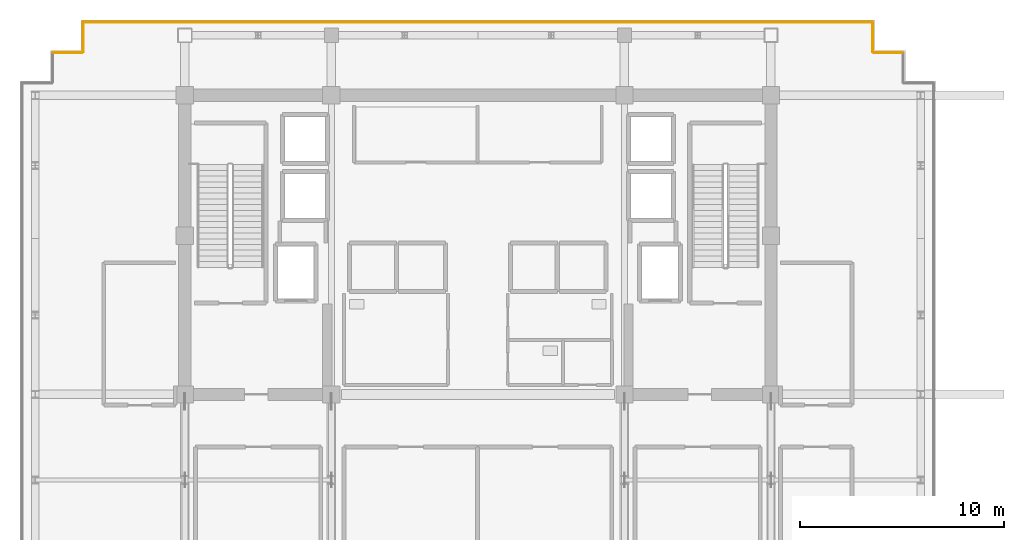
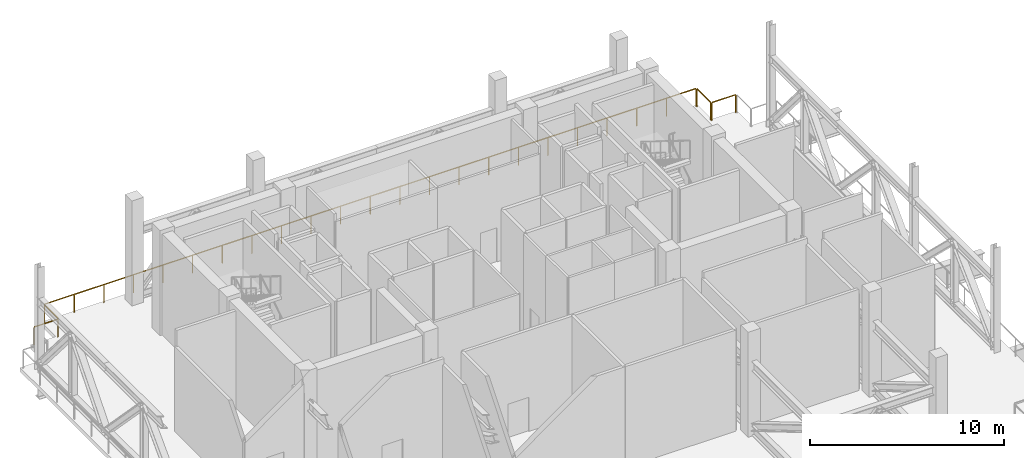
# One storey, part 10 of 11: 5 railings.
"""IFC4 building model written with IfcOpenShell, lengths in metres."""

from ifc_helpers import new_model, si_unit, direction, frame, origin, origin_2d, place, context, subcontext, project, spatial, rectangle, extrude, material, type_object, element, save


model = new_model("IFC4")

# Units and contexts
model_context = context("Model", 3, precision=1e-05, world=origin(), true_north=direction((0.0, 1.0)))
body_context = subcontext(model_context, "Body", "Model", "MODEL_VIEW")
ifc_project = project(units=[si_unit("LENGTHUNIT", "METRE"), si_unit("AREAUNIT", "SQUARE_METRE"), si_unit("VOLUMEUNIT", "CUBIC_METRE"), si_unit("PLANEANGLEUNIT", "RADIAN"), si_unit("MASSUNIT", "GRAM", prefix="KILO")], contexts=[model_context])

# Site, building, storey
site_placement = place(None, origin())
site = spatial("IfcSite", under=ifc_project, at=site_placement, CompositionType="ELEMENT")
building_placement = place(site_placement, origin())
building = spatial("IfcBuilding", under=site, at=building_placement, Name="Zarnakvel Exchange Tower", CompositionType="ELEMENT")
storey_placement = place(building_placement, frame((0.0, 0.0, 199.0)))
storey = spatial("IfcBuildingStorey", under=building, at=storey_placement, Name="L56", CompositionType="ELEMENT", Elevation=199.0)

# Railings
ifc_material = material(Name="Architectural Bronze Anodised Aluminium", Category="aluminium")
railing_type = type_object("IfcRailingType", Name="GR-01", PredefinedType="GUARDRAIL", material=ifc_material)
railing_1_placement = place(storey_placement, frame((-20.860107421875, 15.60009765625, 0.0)))
element("IfcRailing", 1, at=railing_1_placement, inside=storey, type_object=railing_type, Name="L56 Perimeter Guardrail GR-L56-PERIM-04 (GR-01)", PredefinedType="GUARDRAIL", context=body_context, shape_type="SweptSolid", body=[
    extrude(rectangle(XDim=0.048095703125, YDim=0.048095703125, at=origin_2d()), frame((0.0, 0.0, 1.1259765625), z_axis=(1.0, 0.0, 0.0), x_axis=(0.0, 1.0, 0.0)), (0.0, 0.0, 1.0), 1.420166015625),
    extrude(rectangle(XDim=0.0419921875, YDim=0.0419921875, at=origin_2d()), origin(), (0.0, 0.0, 1.0), 1.101806640625),
    extrude(rectangle(XDim=0.0419921875, YDim=0.0419921875, at=origin_2d()), frame((1.420166015625, 0.0, 0.0)), (0.0, 0.0, 1.0), 1.101806640625),
])
railing_2_placement = place(storey_placement, frame((-19.39990234375, 15.639892578125, 0.0)))
element("IfcRailing", 2, at=railing_2_placement, inside=storey, type_object=railing_type, Name="L56 Perimeter Guardrail GR-L56-PERIM-05 (GR-01)", PredefinedType="GUARDRAIL", context=body_context, shape_type="SweptSolid", body=[
    extrude(rectangle(XDim=0.048095703125, YDim=0.048095703125, at=origin_2d()), frame((0.0, 0.0, 1.1259765625), z_axis=(0.0, 1.0, 0.0), x_axis=(-1.0, 0.0, 0.0)), (0.0, 0.0, 1.0), 1.420166015625),
    extrude(rectangle(XDim=0.0419921875, YDim=0.0419921875, at=origin_2d()), origin(), (0.0, 0.0, 1.0), 1.101806640625),
    extrude(rectangle(XDim=0.0419921875, YDim=0.0419921875, at=origin_2d()), frame((0.0, 1.420166015625, 0.0)), (0.0, 0.0, 1.0), 1.101806640625),
])
railing_3_placement = place(storey_placement, frame((-19.360107421875, 17.10009765625, 0.0)))
element("IfcRailing", 3, at=railing_3_placement, inside=storey, type_object=railing_type, Name="L56 Perimeter Guardrail GR-L56-PERIM-06 (GR-01)", PredefinedType="GUARDRAIL", context=body_context, shape_type="SweptSolid", body=[
    extrude(rectangle(XDim=0.048095703125, YDim=0.048095703125, at=origin_2d()), frame((0.0, 0.0, 1.1259765625), z_axis=(1.0, 0.0, 0.0), x_axis=(0.0, 1.0, 0.0)), (0.0, 0.0, 1.0), 38.72021484375),
    extrude(rectangle(XDim=0.0419921875, YDim=0.0419921875, at=origin_2d()), origin(), (0.0, 0.0, 1.0), 1.101806640625),
    extrude(rectangle(XDim=0.0419921875, YDim=0.0419921875, at=origin_2d()), frame((1.760009765625, 0.0, 0.0)), (0.0, 0.0, 1.0), 1.101806640625),
    extrude(rectangle(XDim=0.0419921875, YDim=0.0419921875, at=origin_2d()), frame((3.52001953125, 0.0, 0.0)), (0.0, 0.0, 1.0), 1.101806640625),
    extrude(rectangle(XDim=0.0419921875, YDim=0.0419921875, at=origin_2d()), frame((5.280029296875, 0.0, 0.0)), (0.0, 0.0, 1.0), 1.101806640625),
    extrude(rectangle(XDim=0.0419921875, YDim=0.0419921875, at=origin_2d()), frame((7.0400390625, 0.0, 0.0)), (0.0, 0.0, 1.0), 1.101806640625),
    extrude(rectangle(XDim=0.0419921875, YDim=0.0419921875, at=origin_2d()), frame((8.800048828125, 0.0, 0.0)), (0.0, 0.0, 1.0), 1.101806640625),
    extrude(rectangle(XDim=0.0419921875, YDim=0.0419921875, at=origin_2d()), frame((10.56005859375, 0.0, 0.0)), (0.0, 0.0, 1.0), 1.101806640625),
    extrude(rectangle(XDim=0.0419921875, YDim=0.0419921875, at=origin_2d()), frame((12.320068359375, 0.0, 0.0)), (0.0, 0.0, 1.0), 1.101806640625),
    extrude(rectangle(XDim=0.0419921875, YDim=0.0419921875, at=origin_2d()), frame((14.080078125, 0.0, 0.0)), (0.0, 0.0, 1.0), 1.101806640625),
    extrude(rectangle(XDim=0.0419921875, YDim=0.0419921875, at=origin_2d()), frame((15.840087890625, 0.0, 0.0)), (0.0, 0.0, 1.0), 1.101806640625),
    extrude(rectangle(XDim=0.0419921875, YDim=0.0419921875, at=origin_2d()), frame((17.60009765625, 0.0, 0.0)), (0.0, 0.0, 1.0), 1.101806640625),
    extrude(rectangle(XDim=0.0419921875, YDim=0.0419921875, at=origin_2d()), frame((19.360107421875, 0.0, 0.0)), (0.0, 0.0, 1.0), 1.101806640625),
    extrude(rectangle(XDim=0.0419921875, YDim=0.0419921875, at=origin_2d()), frame((21.1201171875, 0.0, 0.0)), (0.0, 0.0, 1.0), 1.101806640625),
    extrude(rectangle(XDim=0.0419921875, YDim=0.0419921875, at=origin_2d()), frame((22.880126953125, 0.0, 0.0)), (0.0, 0.0, 1.0), 1.101806640625),
    extrude(rectangle(XDim=0.0419921875, YDim=0.0419921875, at=origin_2d()), frame((24.64013671875, 0.0, 0.0)), (0.0, 0.0, 1.0), 1.101806640625),
    extrude(rectangle(XDim=0.0419921875, YDim=0.0419921875, at=origin_2d()), frame((26.400146484375, 0.0, 0.0)), (0.0, 0.0, 1.0), 1.101806640625),
    extrude(rectangle(XDim=0.0419921875, YDim=0.0419921875, at=origin_2d()), frame((28.16015625, 0.0, 0.0)), (0.0, 0.0, 1.0), 1.101806640625),
    extrude(rectangle(XDim=0.0419921875, YDim=0.0419921875, at=origin_2d()), frame((29.920166015625, 0.0, 0.0)), (0.0, 0.0, 1.0), 1.101806640625),
    extrude(rectangle(XDim=0.0419921875, YDim=0.0419921875, at=origin_2d()), frame((31.68017578125, 0.0, 0.0)), (0.0, 0.0, 1.0), 1.101806640625),
    extrude(rectangle(XDim=0.0419921875, YDim=0.0419921875, at=origin_2d()), frame((33.440185546875, 0.0, 0.0)), (0.0, 0.0, 1.0), 1.101806640625),
    extrude(rectangle(XDim=0.0419921875, YDim=0.0419921875, at=origin_2d()), frame((35.2001953125, 0.0, 0.0)), (0.0, 0.0, 1.0), 1.101806640625),
    extrude(rectangle(XDim=0.0419921875, YDim=0.0419921875, at=origin_2d()), frame((36.960205078125, 0.0, 0.0)), (0.0, 0.0, 1.0), 1.101806640625),
    extrude(rectangle(XDim=0.0419921875, YDim=0.0419921875, at=origin_2d()), frame((38.72021484375, 0.0, 0.0)), (0.0, 0.0, 1.0), 1.101806640625),
])
railing_4_placement = place(storey_placement, frame((19.39990234375, 17.06005859375, 0.0)))
element("IfcRailing", 4, at=railing_4_placement, inside=storey, type_object=railing_type, Name="L56 Perimeter Guardrail GR-L56-PERIM-07 (GR-01)", PredefinedType="GUARDRAIL", context=body_context, shape_type="SweptSolid", body=[
    extrude(rectangle(XDim=0.048095703125, YDim=0.048095703125, at=origin_2d()), frame((0.0, 0.0, 1.1259765625), z_axis=(0.0, -1.0, 0.0), x_axis=(1.0, 0.0, 0.0)), (0.0, 0.0, 1.0), 1.420166015625),
    extrude(rectangle(XDim=0.0419921875, YDim=0.0419921875, at=origin_2d()), origin(), (0.0, 0.0, 1.0), 1.101806640625),
    extrude(rectangle(XDim=0.0419921875, YDim=0.0419921875, at=origin_2d()), frame((0.0, -1.420166015625, 0.0)), (0.0, 0.0, 1.0), 1.101806640625),
])
railing_5_placement = place(storey_placement, frame((19.43994140625, 15.60009765625, 0.0)))
element("IfcRailing", 5, at=railing_5_placement, inside=storey, type_object=railing_type, Name="L56 Perimeter Guardrail GR-L56-PERIM-08 (GR-01)", PredefinedType="GUARDRAIL", context=body_context, shape_type="SweptSolid", body=[
    extrude(rectangle(XDim=0.048095703125, YDim=0.048095703125, at=origin_2d()), frame((0.0, 0.0, 1.1259765625), z_axis=(1.0, 0.0, 0.0), x_axis=(0.0, 1.0, 0.0)), (0.0, 0.0, 1.0), 1.420166015625),
    extrude(rectangle(XDim=0.0419921875, YDim=0.0419921875, at=origin_2d()), origin(), (0.0, 0.0, 1.0), 1.101806640625),
    extrude(rectangle(XDim=0.0419921875, YDim=0.0419921875, at=origin_2d()), frame((1.420166015625, 0.0, 0.0)), (0.0, 0.0, 1.0), 1.101806640625),
])

save(model, "model.ifc")
